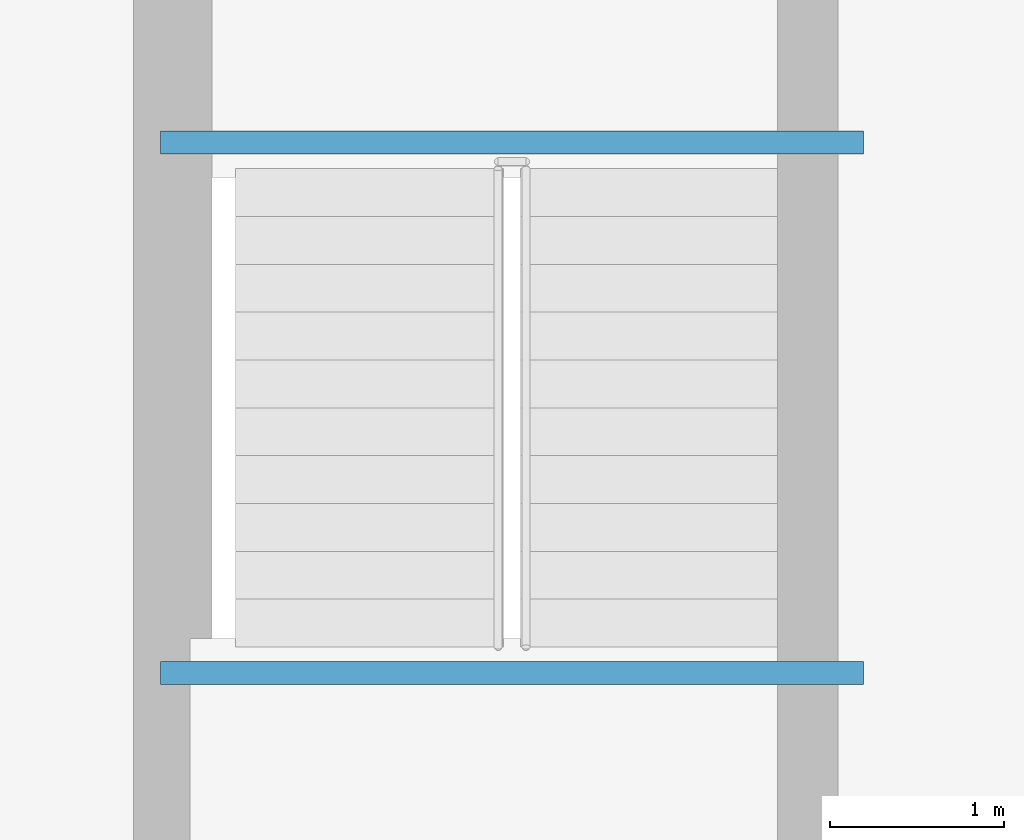
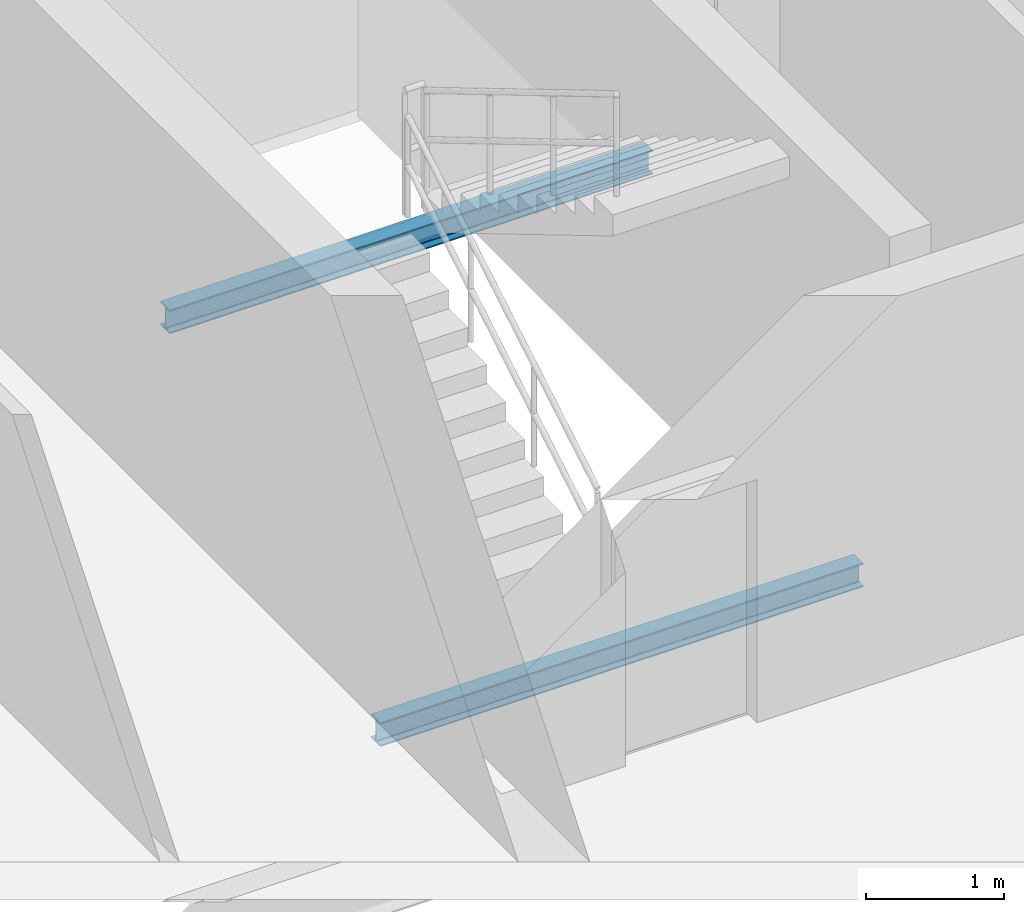
# One storey, part 12 of 26: 2 beams.
"""IFC4 building model written with IfcOpenShell, lengths in metres."""

from ifc_helpers import new_model, si_unit, direction, frame, origin, origin_2d, place, context, subcontext, project, spatial, i_section, extrude, material, material_profile, profile_set, type_object, element, save


model = new_model("IFC4")

# Units and contexts
model_context = context("Model", 3, precision=1e-05, world=origin(), true_north=direction((0.0, 1.0)))
body_context = subcontext(model_context, "Body", "Model", "MODEL_VIEW")
ifc_project = project(units=[si_unit("LENGTHUNIT", "METRE"), si_unit("AREAUNIT", "SQUARE_METRE"), si_unit("VOLUMEUNIT", "CUBIC_METRE"), si_unit("PLANEANGLEUNIT", "RADIAN"), si_unit("MASSUNIT", "GRAM", prefix="KILO")], contexts=[model_context])

# Site, building, storey
site_placement = place(None, origin())
site = spatial("IfcSite", under=ifc_project, at=site_placement, CompositionType="ELEMENT")
building_placement = place(site_placement, origin())
building = spatial("IfcBuilding", under=site, at=building_placement, Name="Caelvoria Tower", CompositionType="ELEMENT")
storey_placement = place(building_placement, frame((0.0, 0.0, 239.39990234375)))
storey = spatial("IfcBuildingStorey", under=building, at=storey_placement, Name="L63", CompositionType="ELEMENT", Elevation=239.39990234375)

# Beams
ifc_material = material(Name="Structural Steel ASTM A992 Gr.50", Category="steel")
ifc_material_profile = material_profile(ifc_material, i_section(OverallWidth=0.134033203125, OverallDepth=0.2099609375, WebThickness=0.00634765625, FlangeThickness=0.01025390625, FilletRadius=0.010009765625, at=origin_2d()), Name="Structural Steel ASTM A992 Gr.50")
ifc_profile_set = profile_set([ifc_material_profile], Name="W200X31.3 - Structural Steel ASTM A992 Gr.50")
beam_type = type_object("IfcBeamType", Name="Canopy Edge Trim Beam W200X31.3", PredefinedType="BEAM", material=ifc_profile_set)
for number, where, z_axis, x_axis, name in (
    (1, (36.929931640625, 36.35009765625, 1.4951171875), (1.0, 0.0, 0.0), (0.0, 1.0, 0.0), "ST-01 Half-Landing Support Beam L63"),
    (2, (36.929931640625, 33.300048828125, -0.304931640625), (1.0, 0.0, 0.0), (0.0, 1.0, 0.0), "ST-01 Floor-Landing Support Beam L63"),
):
    element("IfcBeam", number, at=place(storey_placement, frame(where, z_axis=z_axis, x_axis=x_axis)), inside=storey, type_object=beam_type, Name=name, PredefinedType="BEAM", context=body_context, shape_type="SweptSolid", body=[
        extrude(i_section(OverallWidth=0.134033203125, OverallDepth=0.2099609375, WebThickness=0.00634765625, FlangeThickness=0.01025390625, FilletRadius=0.010009765625, at=origin_2d()), origin(), (0.0, 0.0, 1.0), 4.0400390625),
    ])

save(model, "model.ifc")
